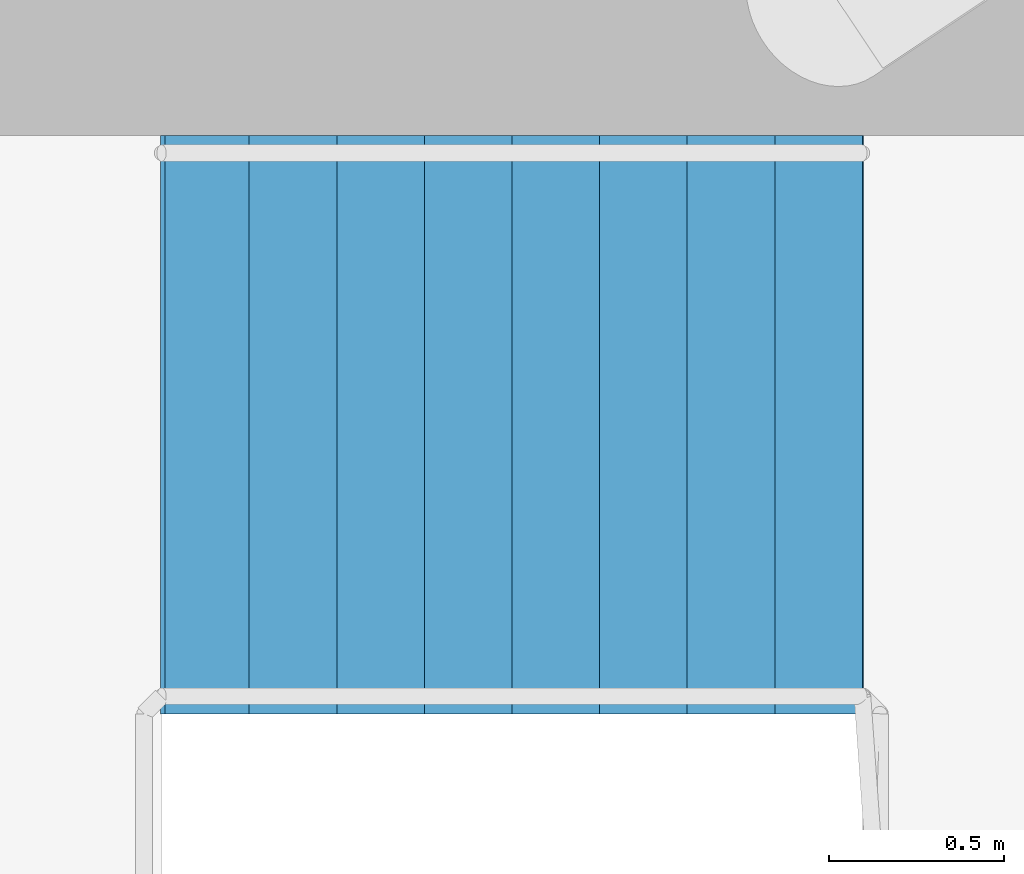
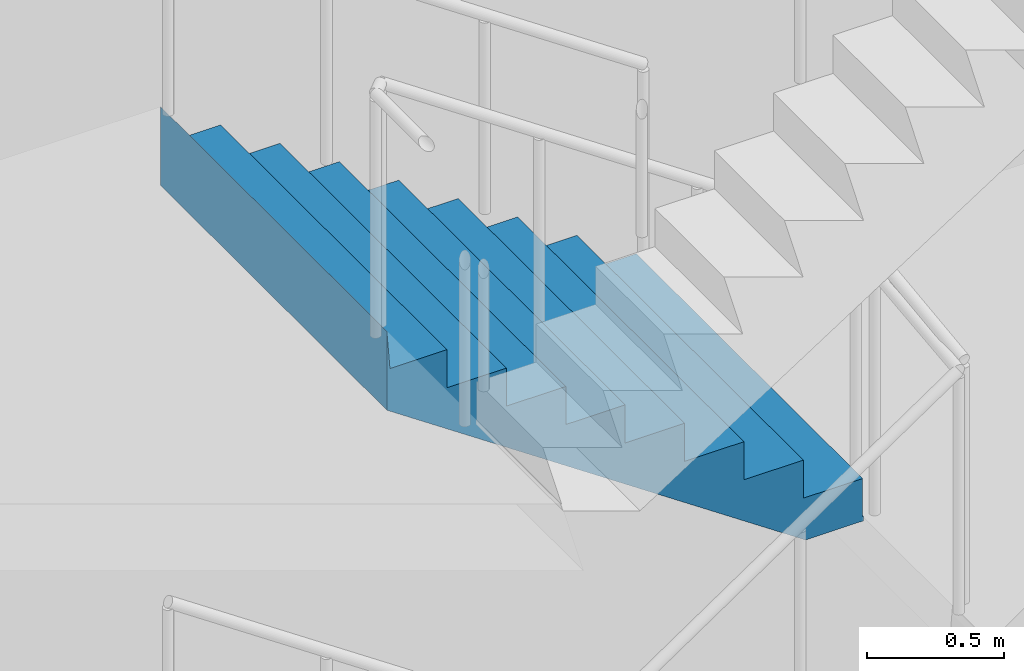
# One storey, part 19 of 24: 1 stair flight, 1 element without a shape of its own.
"""IFC4 building model written with IfcOpenShell, lengths in metres."""

from ifc_helpers import new_model, si_unit, direction, frame, origin, place, context, subcontext, project, spatial, triangles, material, type_object, element, aggregate, save


model = new_model("IFC4")

# Units and contexts
model_context = context("Model", 3, precision=1e-05, world=origin(), true_north=direction((0.0, 1.0)))
body_context = subcontext(model_context, "Body", "Model", "MODEL_VIEW")
ifc_project = project(units=[si_unit("LENGTHUNIT", "METRE"), si_unit("AREAUNIT", "SQUARE_METRE"), si_unit("VOLUMEUNIT", "CUBIC_METRE"), si_unit("PLANEANGLEUNIT", "RADIAN"), si_unit("MASSUNIT", "GRAM", prefix="KILO")], contexts=[model_context])

# Site, building, storey
site_placement = place(None, origin())
site = spatial("IfcSite", under=ifc_project, at=site_placement, CompositionType="ELEMENT")
building_placement = place(site_placement, origin())
building = spatial("IfcBuilding", under=site, at=building_placement, Name="Maasbend Ring Residences", CompositionType="ELEMENT")
storey_placement = place(building_placement, frame((0.0, 0.0, 221.85009765625)))
storey = spatial("IfcBuildingStorey", under=building, at=storey_placement, Name="L64", CompositionType="ELEMENT", Elevation=221.85009765625)

# Stair, stair flight
ifc_material_1 = material(Name="Concrete C40/50", Category="concrete")
stair_type = type_object("IfcStairType", Name="CORE STAIR 36 RISERS", PredefinedType="HALF_TURN_STAIR", material=ifc_material_1)
stair_placement = place(storey_placement, origin())
stair = element("IfcStair", 1, at=stair_placement, inside=storey, type_object=stair_type, Name="L64 Exit stair ST-E1", PredefinedType="HALF_TURN_STAIR")
ifc_material_2 = material(Name="Concrete C40/50", Category="concrete")
stair_flight_type = type_object("IfcStairFlightType", Name="CORE STAIR FLIGHT 1650", PredefinedType="STRAIGHT", material=ifc_material_2)
stair_flight_placement = place(storey_placement, frame((13.550048828125, 7.77490234375, 3.0498046875), z_axis=(0.0, 0.0, 1.0), x_axis=(-1.0, 0.0, 0.0)))
stair_flight = element("IfcStairFlight", 2, at=stair_flight_placement, type_object=stair_flight_type, Name="ST-E1 flight 3", NumberOfRisers=9, NumberOfTreads=8, PredefinedType="STRAIGHT", RiserHeight=0.169444444, TreadLength=0.25, context=body_context, shape_type="Tessellation", body=[
    triangles([(0.24072265625, 0.824951171875, -0.02001953125), (2.0029296875, 0.824951171875, 1.174560546875), (2.0029296875, 0.824951171875, 1.52490234375), (1.989990234375, 0.824951171875, 1.35546875), (1.75, 0.824951171875, 1.35546875), (1.75, 0.824951171875, 1.18603515625), (1.5, 0.824951171875, 1.18603515625), (1.5, 0.824951171875, 1.0166015625), (1.25, 0.824951171875, 1.0166015625), (1.25, 0.824951171875, 0.84716796875), (1.0, 0.824951171875, 0.84716796875), (1.0, 0.824951171875, 0.677734375), (0.75, 0.824951171875, 0.677734375), (0.75, 0.824951171875, 0.50830078125), (0.5, 0.824951171875, 0.50830078125), (0.5, 0.824951171875, 0.3388671875), (0.25, 0.824951171875, 0.3388671875), (0.25, 0.824951171875, 0.16943359375), (0.0, 0.824951171875, 0.16943359375), (0.0, 0.824951171875, 0.0), (-0.0029296875, 0.824951171875, 0.0), (-0.0029296875, 0.824951171875, -0.02001953125), (0.24072265625, 0.27490234375, -0.02001953125), (2.0029296875, 0.27490234375, 1.174560546875), (2.0029296875, 0.27490234375, 1.52490234375), (1.989990234375, 0.27490234375, 1.35546875), (1.75, 0.27490234375, 1.35546875), (1.75, 0.27490234375, 1.18603515625), (1.5, 0.27490234375, 1.18603515625), (1.5, 0.27490234375, 1.0166015625), (1.25, 0.27490234375, 1.0166015625), (1.25, 0.27490234375, 0.84716796875), (1.0, 0.27490234375, 0.84716796875), (1.0, 0.27490234375, 0.677734375), (0.75, 0.27490234375, 0.677734375), (0.75, 0.27490234375, 0.50830078125), (0.5, 0.27490234375, 0.50830078125), (0.5, 0.27490234375, 0.3388671875), (0.25, 0.27490234375, 0.3388671875), (0.25, 0.27490234375, 0.16943359375), (0.0, 0.27490234375, 0.16943359375), (0.0, 0.27490234375, 0.0), (-0.0029296875, 0.27490234375, 0.0), (-0.0029296875, 0.27490234375, -0.02001953125), (0.24072265625, -0.27490234375, -0.02001953125), (2.0029296875, -0.27490234375, 1.174560546875), (2.0029296875, -0.27490234375, 1.52490234375), (1.989990234375, -0.27490234375, 1.35546875), (1.75, -0.27490234375, 1.35546875), (1.75, -0.27490234375, 1.18603515625), (1.5, -0.27490234375, 1.18603515625), (1.5, -0.27490234375, 1.0166015625), (1.25, -0.27490234375, 1.0166015625), (1.25, -0.27490234375, 0.84716796875), (1.0, -0.27490234375, 0.84716796875), (1.0, -0.27490234375, 0.677734375), (0.75, -0.27490234375, 0.677734375), (0.75, -0.27490234375, 0.50830078125), (0.5, -0.27490234375, 0.50830078125), (0.5, -0.27490234375, 0.3388671875), (0.25, -0.27490234375, 0.3388671875), (0.25, -0.27490234375, 0.16943359375), (0.0, -0.27490234375, 0.16943359375), (0.0, -0.27490234375, 0.0), (-0.0029296875, -0.27490234375, 0.0), (-0.0029296875, -0.27490234375, -0.02001953125), (0.24072265625, -0.824951171875, -0.02001953125), (2.0029296875, -0.824951171875, 1.174560546875), (2.0029296875, -0.824951171875, 1.52490234375), (1.989990234375, -0.824951171875, 1.35546875), (1.75, -0.824951171875, 1.35546875), (1.75, -0.824951171875, 1.18603515625), (1.5, -0.824951171875, 1.18603515625), (1.5, -0.824951171875, 1.0166015625), (1.25, -0.824951171875, 1.0166015625), (1.25, -0.824951171875, 0.84716796875), (1.0, -0.824951171875, 0.84716796875), (1.0, -0.824951171875, 0.677734375), (0.75, -0.824951171875, 0.677734375), (0.75, -0.824951171875, 0.50830078125), (0.5, -0.824951171875, 0.50830078125), (0.5, -0.824951171875, 0.3388671875), (0.25, -0.824951171875, 0.3388671875), (0.25, -0.824951171875, 0.16943359375), (0.0, -0.824951171875, 0.16943359375), (0.0, -0.824951171875, 0.0), (-0.0029296875, -0.824951171875, 0.0), (-0.0029296875, -0.824951171875, -0.02001953125)], [[1, 2, 24], [1, 24, 23], [23, 24, 46], [23, 46, 45], [45, 46, 68], [45, 68, 67], [2, 3, 25], [2, 25, 24], [24, 25, 47], [24, 47, 46], [46, 47, 69], [46, 69, 68], [3, 4, 26], [3, 26, 25], [25, 26, 48], [25, 48, 47], [47, 48, 70], [47, 70, 69], [4, 5, 27], [4, 27, 26], [26, 27, 49], [26, 49, 48], [48, 49, 71], [48, 71, 70], [5, 6, 28], [5, 28, 27], [27, 28, 50], [27, 50, 49], [49, 50, 72], [49, 72, 71], [6, 7, 29], [6, 29, 28], [28, 29, 51], [28, 51, 50], [50, 51, 73], [50, 73, 72], [7, 8, 30], [7, 30, 29], [29, 30, 52], [29, 52, 51], [51, 52, 74], [51, 74, 73], [8, 9, 31], [8, 31, 30], [30, 31, 53], [30, 53, 52], [52, 53, 75], [52, 75, 74], [9, 10, 32], [9, 32, 31], [31, 32, 54], [31, 54, 53], [53, 54, 76], [53, 76, 75], [10, 11, 33], [10, 33, 32], [32, 33, 55], [32, 55, 54], [54, 55, 77], [54, 77, 76], [11, 12, 34], [11, 34, 33], [33, 34, 56], [33, 56, 55], [55, 56, 78], [55, 78, 77], [12, 13, 35], [12, 35, 34], [34, 35, 57], [34, 57, 56], [56, 57, 79], [56, 79, 78], [13, 14, 36], [13, 36, 35], [35, 36, 58], [35, 58, 57], [57, 58, 80], [57, 80, 79], [14, 15, 37], [14, 37, 36], [36, 37, 59], [36, 59, 58], [58, 59, 81], [58, 81, 80], [15, 16, 38], [15, 38, 37], [37, 38, 60], [37, 60, 59], [59, 60, 82], [59, 82, 81], [16, 17, 39], [16, 39, 38], [38, 39, 61], [38, 61, 60], [60, 61, 83], [60, 83, 82], [17, 18, 40], [17, 40, 39], [39, 40, 62], [39, 62, 61], [61, 62, 84], [61, 84, 83], [18, 19, 41], [18, 41, 40], [40, 41, 63], [40, 63, 62], [62, 63, 85], [62, 85, 84], [19, 20, 42], [19, 42, 41], [41, 42, 64], [41, 64, 63], [63, 64, 86], [63, 86, 85], [20, 21, 43], [20, 43, 42], [42, 43, 65], [42, 65, 64], [64, 65, 87], [64, 87, 86], [21, 22, 44], [21, 44, 43], [43, 44, 66], [43, 66, 65], [65, 66, 88], [65, 88, 87], [22, 1, 23], [22, 23, 44], [44, 23, 45], [44, 45, 66], [66, 45, 67], [66, 67, 88], [22, 2, 1], [2, 4, 3], [2, 5, 4], [2, 6, 5], [22, 6, 2], [6, 8, 7], [22, 8, 6], [8, 10, 9], [22, 10, 8], [10, 12, 11], [22, 12, 10], [12, 14, 13], [22, 14, 12], [14, 16, 15], [22, 16, 14], [16, 18, 17], [22, 18, 16], [18, 20, 19], [22, 20, 18], [20, 22, 21], [88, 67, 68], [68, 69, 70], [68, 70, 71], [68, 71, 72], [88, 68, 72], [72, 73, 74], [88, 72, 74], [74, 75, 76], [88, 74, 76], [76, 77, 78], [88, 76, 78], [78, 79, 80], [88, 78, 80], [80, 81, 82], [88, 80, 82], [82, 83, 84], [88, 82, 84], [84, 85, 86], [88, 84, 86], [86, 87, 88]], closed=True),
])
aggregate(stair, [stair_flight])

save(model, "model.ifc")
